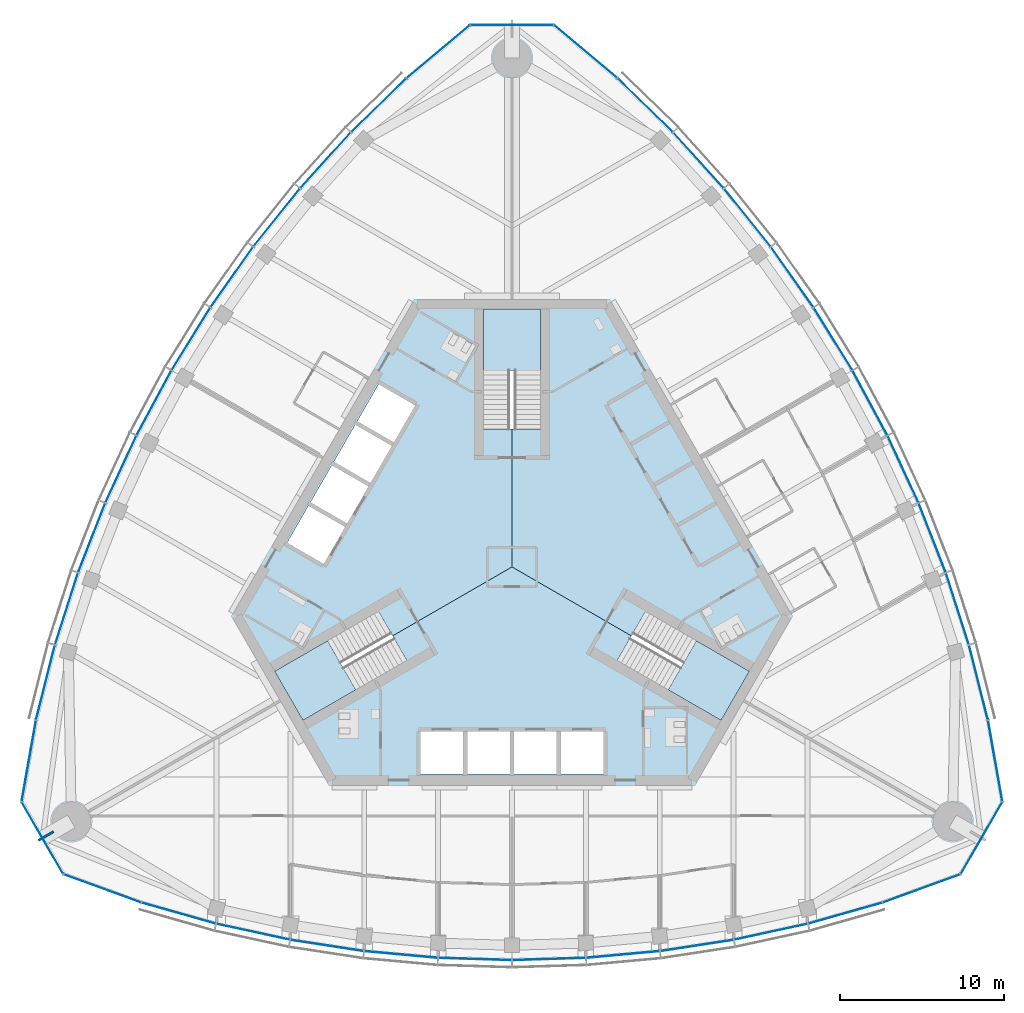
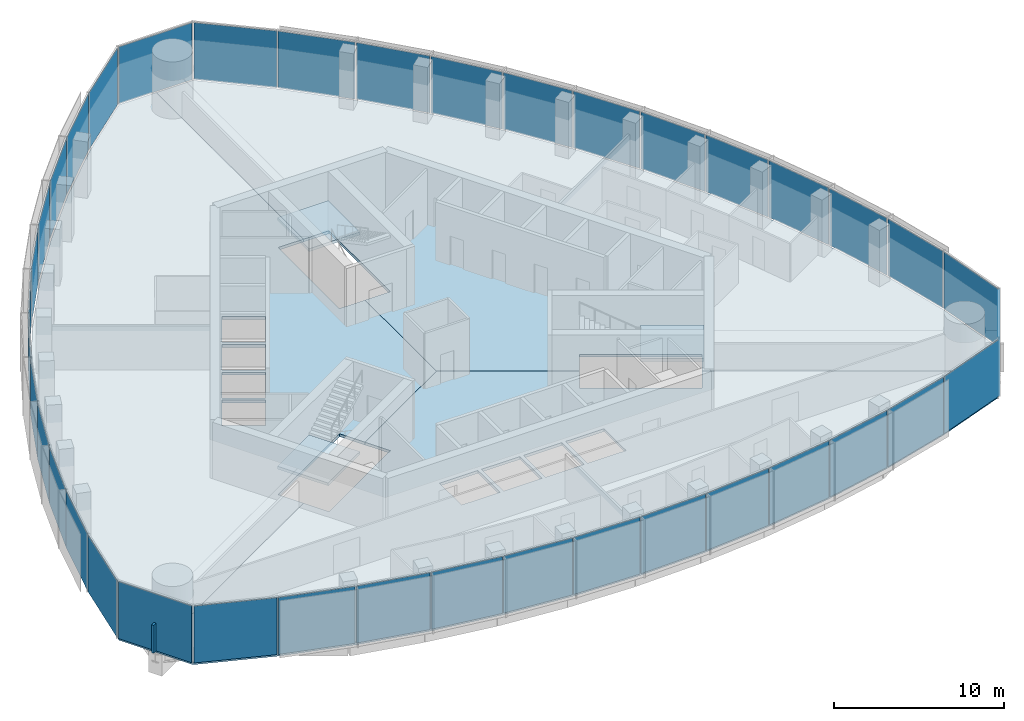
# One storey, part 7 of 16: 39 plates, 6 slabs, 1 wall, 9 elements without a shape of their own.
"""IFC4 building model written with IfcOpenShell, lengths in metres."""

from ifc_helpers import new_model, si_unit, direction, frame, frame_2d, origin, origin_2d, place, context, subcontext, project, spatial, polyline, rectangle, outline, extrude, material, layer, layer_set, type_object, element, aggregate, save


model = new_model("IFC4")

# Units and contexts
model_context = context("Model", 3, precision=1e-05, world=origin(), true_north=direction((0.0, 1.0)))
body_context = subcontext(model_context, "Body", "Model", "MODEL_VIEW")
ifc_project = project(units=[si_unit("LENGTHUNIT", "METRE"), si_unit("AREAUNIT", "SQUARE_METRE"), si_unit("VOLUMEUNIT", "CUBIC_METRE"), si_unit("PLANEANGLEUNIT", "RADIAN"), si_unit("MASSUNIT", "GRAM", prefix="KILO")], contexts=[model_context])

# Site, building, storey
site_placement = place(None, origin())
site = spatial("IfcSite", under=ifc_project, at=site_placement, CompositionType="ELEMENT")
building_placement = place(site_placement, origin())
building = spatial("IfcBuilding", under=site, at=building_placement, Name="Trefoil Bronze Tower", CompositionType="ELEMENT")
storey_placement = place(building_placement, frame((0.0, 0.0, 318.300048828125)))
storey = spatial("IfcBuildingStorey", under=building, at=storey_placement, Name="L73", CompositionType="ELEMENT", Elevation=318.300048828125)

# Curtain wall, plates
ifc_material_1 = material(Name="Tinted solar-control glass", Category="glass")
curtain_wall_type_1 = type_object("IfcCurtainWallType", Name="Bronze office curtain wall", PredefinedType="USERDEFINED", material=ifc_material_1)
curtain_wall_1_placement = place(storey_placement, origin())
curtain_wall_1 = element("IfcCurtainWall", 1, at=curtain_wall_1_placement, inside=storey, type_object=curtain_wall_type_1, Name="CW-A L73 F1", ObjectType="CURTAIN WALL", PredefinedType="USERDEFINED")
ifc_material_2 = material(Name="Tinted solar-control glass", Category="glass")
ifc_layer_1 = layer(ifc_material_2, 0.030029296875)
ifc_layer_set_1 = layer_set([ifc_layer_1], Name="Bronze office curtain wall glass panel")
plate_type_1 = type_object("IfcPlateType", Name="Bronze office curtain wall glass panel", PredefinedType="CURTAIN_PANEL", material=ifc_layer_set_1)
plate_1_placement = place(storey_placement, frame((-20.301513671875, -21.092529296875, 0.0), z_axis=(0.0, 0.0, 1.0), x_axis=(0.962097746943, -0.272704831875, 0.0)))
plate_1 = element("IfcPlate", 2, at=plate_1_placement, type_object=plate_type_1, Name="CW-A L73 F1 panel 1", PredefinedType="CURTAIN_PANEL", context=body_context, shape_type="SweptSolid", body=[
    extrude(rectangle(XDim=4.6474609375, YDim=0.030029296875, at=origin_2d()), origin(), (0.0, 0.0, 1.0), 4.080078125),
])
plate_2_placement = place(storey_placement, frame((-15.771240234375, -22.226318359375, 0.0), z_axis=(0.0, 0.0, 1.0), x_axis=(0.977303138829, -0.211845639168, 0.0)))
plate_2 = element("IfcPlate", 3, at=plate_2_placement, type_object=plate_type_1, Name="CW-A L73 F1 panel 2", PredefinedType="CURTAIN_PANEL", context=body_context, shape_type="SweptSolid", body=[
    extrude(rectangle(XDim=4.5244140625, YDim=0.030029296875, at=origin_2d()), origin(), (0.0, 0.0, 1.0), 4.080078125),
])
plate_3_placement = place(storey_placement, frame((-11.26513671875, -23.0595703125, 0.0), z_axis=(0.0, 0.0, 1.0), x_axis=(0.988485337216, -0.151316681529, 0.0)))
plate_3 = element("IfcPlate", 4, at=plate_3_placement, type_object=plate_type_1, Name="CW-A L73 F1 panel 3", PredefinedType="CURTAIN_PANEL", context=body_context, shape_type="SweptSolid", body=[
    extrude(rectangle(XDim=4.472412109375, YDim=0.030029296875, at=origin_2d()), origin(), (0.0, 0.0, 1.0), 4.080078125),
])
plate_4_placement = place(storey_placement, frame((-6.759033203125, -23.60986328125, 0.0), z_axis=(0.0, 0.0, 1.0), x_axis=(0.99587011625, -0.090789380212, 0.0)))
plate_4 = element("IfcPlate", 5, at=plate_4_placement, type_object=plate_type_1, Name="CW-A L73 F1 panel 4", PredefinedType="CURTAIN_PANEL", context=body_context, shape_type="SweptSolid", body=[
    extrude(rectangle(XDim=4.438720703125, YDim=0.030029296875, at=origin_2d()), origin(), (0.0, 0.0, 1.0), 4.080078125),
])
plate_5_placement = place(storey_placement, frame((-2.2529296875, -23.883544921875, 0.0), z_axis=(0.0, 0.0, 1.0), x_axis=(0.999541969785, -0.030263024264, 0.0)))
plate_5 = element("IfcPlate", 6, at=plate_5_placement, type_object=plate_type_1, Name="CW-A L73 F1 panel 5", PredefinedType="CURTAIN_PANEL", context=body_context, shape_type="SweptSolid", body=[
    extrude(rectangle(XDim=4.422119140625, YDim=0.030029296875, at=origin_2d()), origin(), (0.0, 0.0, 1.0), 4.080078125),
])
plate_6_placement = place(storey_placement, frame((2.2529296875, -23.883544921875, 0.0), z_axis=(0.0, 0.0, 1.0), x_axis=(0.999541969785, 0.030263024264, 0.0)))
plate_6 = element("IfcPlate", 7, at=plate_6_placement, type_object=plate_type_1, Name="CW-A L73 F1 panel 6", PredefinedType="CURTAIN_PANEL", context=body_context, shape_type="SweptSolid", body=[
    extrude(rectangle(XDim=4.422119140625, YDim=0.030029296875, at=origin_2d()), origin(), (0.0, 0.0, 1.0), 4.080078125),
])
plate_7_placement = place(storey_placement, frame((6.759033203125, -23.60986328125, 0.0), z_axis=(0.0, 0.0, 1.0), x_axis=(0.99587011625, 0.090789380212, 0.0)))
plate_7 = element("IfcPlate", 8, at=plate_7_placement, type_object=plate_type_1, Name="CW-A L73 F1 panel 7", PredefinedType="CURTAIN_PANEL", context=body_context, shape_type="SweptSolid", body=[
    extrude(rectangle(XDim=4.438720703125, YDim=0.030029296875, at=origin_2d()), origin(), (0.0, 0.0, 1.0), 4.080078125),
])
plate_8_placement = place(storey_placement, frame((11.26513671875, -23.0595703125, 0.0), z_axis=(0.0, 0.0, 1.0), x_axis=(0.988485337216, 0.151316681529, 0.0)))
plate_8 = element("IfcPlate", 9, at=plate_8_placement, type_object=plate_type_1, Name="CW-A L73 F1 panel 8", PredefinedType="CURTAIN_PANEL", context=body_context, shape_type="SweptSolid", body=[
    extrude(rectangle(XDim=4.472412109375, YDim=0.030029296875, at=origin_2d()), origin(), (0.0, 0.0, 1.0), 4.080078125),
])
plate_9_placement = place(storey_placement, frame((15.771240234375, -22.226318359375, 0.0), z_axis=(0.0, 0.0, 1.0), x_axis=(0.977303138829, 0.211845639168, 0.0)))
plate_9 = element("IfcPlate", 10, at=plate_9_placement, type_object=plate_type_1, Name="CW-A L73 F1 panel 9", PredefinedType="CURTAIN_PANEL", context=body_context, shape_type="SweptSolid", body=[
    extrude(rectangle(XDim=4.5244140625, YDim=0.030029296875, at=origin_2d()), origin(), (0.0, 0.0, 1.0), 4.080078125),
])
plate_10_placement = place(storey_placement, frame((20.301513671875, -21.092529296875, 0.0), z_axis=(0.0, 0.0, 1.0), x_axis=(0.962097746943, 0.272704831875, 0.0)))
plate_10 = element("IfcPlate", 11, at=plate_10_placement, type_object=plate_type_1, Name="CW-A L73 F1 panel 10", PredefinedType="CURTAIN_PANEL", context=body_context, shape_type="SweptSolid", body=[
    extrude(rectangle(XDim=4.6474609375, YDim=0.030029296875, at=origin_2d()), origin(), (0.0, 0.0, 1.0), 4.080078125),
])
aggregate(curtain_wall_1, [plate_1, plate_2, plate_3, plate_4, plate_5, plate_6, plate_7, plate_8, plate_9, plate_10])

curtain_wall_2_placement = place(storey_placement, origin())
curtain_wall_2 = element("IfcCurtainWall", 12, at=curtain_wall_2_placement, inside=storey, type_object=curtain_wall_type_1, Name="CW-A L73 F2", ObjectType="CURTAIN WALL", PredefinedType="USERDEFINED")
plate_11_placement = place(storey_placement, frame((28.417236328125, -7.035400390625, 0.0), z_axis=(0.0, 0.0, 1.0), x_axis=(-0.244879561333, 0.969553505713, 0.0)))
plate_11 = element("IfcPlate", 13, at=plate_11_placement, type_object=plate_type_1, Name="CW-A L73 F2 panel 1", PredefinedType="CURTAIN_PANEL", context=body_context, shape_type="SweptSolid", body=[
    extrude(rectangle(XDim=4.6474609375, YDim=0.030029296875, at=origin_2d()), origin(), (0.0, 0.0, 1.0), 4.080078125),
])
plate_12_placement = place(storey_placement, frame((27.134033203125, -2.545166015625, 0.0), z_axis=(0.0, 0.0, 1.0), x_axis=(-0.305187864214, 0.952292165009, 0.0)))
plate_12 = element("IfcPlate", 14, at=plate_12_placement, type_object=plate_type_1, Name="CW-A L73 F2 panel 2", PredefinedType="CURTAIN_PANEL", context=body_context, shape_type="SweptSolid", body=[
    extrude(rectangle(XDim=4.5244140625, YDim=0.030029296875, at=origin_2d()), origin(), (0.0, 0.0, 1.0), 4.080078125),
])
plate_13_placement = place(storey_placement, frame((25.602783203125, 1.77392578125, 0.0), z_axis=(0.0, 0.0, 1.0), x_axis=(-0.363198578387, 0.931711754062, 0.0)))
plate_13 = element("IfcPlate", 15, at=plate_13_placement, type_object=plate_type_1, Name="CW-A L73 F2 panel 3", PredefinedType="CURTAIN_PANEL", context=body_context, shape_type="SweptSolid", body=[
    extrude(rectangle(XDim=4.472412109375, YDim=0.030029296875, at=origin_2d()), origin(), (0.0, 0.0, 1.0), 4.080078125),
])
plate_14_placement = place(storey_placement, frame((23.826171875, 5.951416015625, 0.0), z_axis=(0.0, 0.0, 1.0), x_axis=(-0.419309148468, 0.907843509649, 0.0)))
plate_14 = element("IfcPlate", 16, at=plate_14_placement, type_object=plate_type_1, Name="CW-A L73 F2 panel 4", PredefinedType="CURTAIN_PANEL", context=body_context, shape_type="SweptSolid", body=[
    extrude(rectangle(XDim=4.438720703125, YDim=0.030029296875, at=origin_2d()), origin(), (0.0, 0.0, 1.0), 4.080078125),
])
plate_15_placement = place(storey_placement, frame((21.81005859375, 9.990478515625, 0.0), z_axis=(0.0, 0.0, 1.0), x_axis=(-0.473562437085, 0.880760250115, 0.0)))
plate_15 = element("IfcPlate", 17, at=plate_15_placement, type_object=plate_type_1, Name="CW-A L73 F2 panel 5", PredefinedType="CURTAIN_PANEL", context=body_context, shape_type="SweptSolid", body=[
    extrude(rectangle(XDim=4.422119140625, YDim=0.030029296875, at=origin_2d()), origin(), (0.0, 0.0, 1.0), 4.080078125),
])
plate_16_placement = place(storey_placement, frame((19.55712890625, 13.892822265625, 0.0), z_axis=(0.0, 0.0, 1.0), x_axis=(-0.525979532701, 0.850497225851, 0.0)))
plate_16 = element("IfcPlate", 18, at=plate_16_placement, type_object=plate_type_1, Name="CW-A L73 F2 panel 6", PredefinedType="CURTAIN_PANEL", context=body_context, shape_type="SweptSolid", body=[
    extrude(rectangle(XDim=4.422119140625, YDim=0.030029296875, at=origin_2d()), origin(), (0.0, 0.0, 1.0), 4.080078125),
])
plate_17_placement = place(storey_placement, frame((17.067138671875, 17.658447265625, 0.0), z_axis=(0.0, 0.0, 1.0), x_axis=(-0.576560967783, 0.817054129437, 0.0)))
plate_17 = element("IfcPlate", 19, at=plate_17_placement, type_object=plate_type_1, Name="CW-A L73 F2 panel 7", PredefinedType="CURTAIN_PANEL", context=body_context, shape_type="SweptSolid", body=[
    extrude(rectangle(XDim=4.438720703125, YDim=0.030029296875, at=origin_2d()), origin(), (0.0, 0.0, 1.0), 4.080078125),
])
plate_18_placement = place(storey_placement, frame((14.337646484375, 21.28564453125, 0.0), z_axis=(0.0, 0.0, 1.0), x_axis=(-0.625286758829, 0.780395072533, 0.0)))
plate_18 = element("IfcPlate", 20, at=plate_18_placement, type_object=plate_type_1, Name="CW-A L73 F2 panel 8", PredefinedType="CURTAIN_PANEL", context=body_context, shape_type="SweptSolid", body=[
    extrude(rectangle(XDim=4.472412109375, YDim=0.030029296875, at=origin_2d()), origin(), (0.0, 0.0, 1.0), 4.080078125),
])
plate_19_placement = place(storey_placement, frame((11.36279296875, 24.771484375, 0.0), z_axis=(0.0, 0.0, 1.0), x_axis=(-0.672115274615, 0.74044652584, 0.0)))
plate_19 = element("IfcPlate", 21, at=plate_19_placement, type_object=plate_type_1, Name="CW-A L73 F2 panel 9", PredefinedType="CURTAIN_PANEL", context=body_context, shape_type="SweptSolid", body=[
    extrude(rectangle(XDim=4.5244140625, YDim=0.030029296875, at=origin_2d()), origin(), (0.0, 0.0, 1.0), 4.080078125),
])
plate_20_placement = place(storey_placement, frame((8.115966796875, 28.127685546875, 0.0), z_axis=(0.0, 0.0, 1.0), x_axis=(-0.71721818561, 0.696848673839, 0.0)))
plate_20 = element("IfcPlate", 22, at=plate_20_placement, type_object=plate_type_1, Name="CW-A L73 F2 panel 10", PredefinedType="CURTAIN_PANEL", context=body_context, shape_type="SweptSolid", body=[
    extrude(rectangle(XDim=4.6474609375, YDim=0.030029296875, at=origin_2d()), origin(), (0.0, 0.0, 1.0), 4.080078125),
])
aggregate(curtain_wall_2, [plate_11, plate_12, plate_13, plate_14, plate_15, plate_16, plate_17, plate_18, plate_19, plate_20])

curtain_wall_3_placement = place(storey_placement, origin())
curtain_wall_3 = element("IfcCurtainWall", 23, at=curtain_wall_3_placement, inside=storey, type_object=curtain_wall_type_1, Name="CW-A L73 F3", ObjectType="CURTAIN WALL", PredefinedType="USERDEFINED")
plate_21_placement = place(storey_placement, frame((-8.115966796875, 28.127685546875, 0.0), z_axis=(0.0, 0.0, 1.0), x_axis=(-0.71721818561, -0.696848673839, 0.0)))
plate_21 = element("IfcPlate", 24, at=plate_21_placement, type_object=plate_type_1, Name="CW-A L73 F3 panel 1", PredefinedType="CURTAIN_PANEL", context=body_context, shape_type="SweptSolid", body=[
    extrude(rectangle(XDim=4.6474609375, YDim=0.030029296875, at=origin_2d()), origin(), (0.0, 0.0, 1.0), 4.080078125),
])
plate_22_placement = place(storey_placement, frame((-11.36279296875, 24.771484375, 0.0), z_axis=(0.0, 0.0, 1.0), x_axis=(-0.672115274615, -0.74044652584, 0.0)))
plate_22 = element("IfcPlate", 25, at=plate_22_placement, type_object=plate_type_1, Name="CW-A L73 F3 panel 2", PredefinedType="CURTAIN_PANEL", context=body_context, shape_type="SweptSolid", body=[
    extrude(rectangle(XDim=4.5244140625, YDim=0.030029296875, at=origin_2d()), origin(), (0.0, 0.0, 1.0), 4.080078125),
])
plate_23_placement = place(storey_placement, frame((-14.337646484375, 21.28564453125, 0.0), z_axis=(0.0, 0.0, 1.0), x_axis=(-0.625286758829, -0.780395072533, 0.0)))
plate_23 = element("IfcPlate", 26, at=plate_23_placement, type_object=plate_type_1, Name="CW-A L73 F3 panel 3", PredefinedType="CURTAIN_PANEL", context=body_context, shape_type="SweptSolid", body=[
    extrude(rectangle(XDim=4.472412109375, YDim=0.030029296875, at=origin_2d()), origin(), (0.0, 0.0, 1.0), 4.080078125),
])
plate_24_placement = place(storey_placement, frame((-17.067138671875, 17.658447265625, 0.0), z_axis=(0.0, 0.0, 1.0), x_axis=(-0.576560967783, -0.817054129437, 0.0)))
plate_24 = element("IfcPlate", 27, at=plate_24_placement, type_object=plate_type_1, Name="CW-A L73 F3 panel 4", PredefinedType="CURTAIN_PANEL", context=body_context, shape_type="SweptSolid", body=[
    extrude(rectangle(XDim=4.438720703125, YDim=0.030029296875, at=origin_2d()), origin(), (0.0, 0.0, 1.0), 4.080078125),
])
plate_25_placement = place(storey_placement, frame((-19.55712890625, 13.892822265625, 0.0), z_axis=(0.0, 0.0, 1.0), x_axis=(-0.525979532701, -0.850497225851, 0.0)))
plate_25 = element("IfcPlate", 28, at=plate_25_placement, type_object=plate_type_1, Name="CW-A L73 F3 panel 5", PredefinedType="CURTAIN_PANEL", context=body_context, shape_type="SweptSolid", body=[
    extrude(rectangle(XDim=4.422119140625, YDim=0.030029296875, at=origin_2d()), origin(), (0.0, 0.0, 1.0), 4.080078125),
])
plate_26_placement = place(storey_placement, frame((-21.81005859375, 9.990478515625, 0.0), z_axis=(0.0, 0.0, 1.0), x_axis=(-0.473562437085, -0.880760250115, 0.0)))
plate_26 = element("IfcPlate", 29, at=plate_26_placement, type_object=plate_type_1, Name="CW-A L73 F3 panel 6", PredefinedType="CURTAIN_PANEL", context=body_context, shape_type="SweptSolid", body=[
    extrude(rectangle(XDim=4.422119140625, YDim=0.030029296875, at=origin_2d()), origin(), (0.0, 0.0, 1.0), 4.080078125),
])
plate_27_placement = place(storey_placement, frame((-23.826171875, 5.951416015625, 0.0), z_axis=(0.0, 0.0, 1.0), x_axis=(-0.419309148468, -0.907843509649, 0.0)))
plate_27 = element("IfcPlate", 30, at=plate_27_placement, type_object=plate_type_1, Name="CW-A L73 F3 panel 7", PredefinedType="CURTAIN_PANEL", context=body_context, shape_type="SweptSolid", body=[
    extrude(rectangle(XDim=4.438720703125, YDim=0.030029296875, at=origin_2d()), origin(), (0.0, 0.0, 1.0), 4.080078125),
])
plate_28_placement = place(storey_placement, frame((-25.602783203125, 1.77392578125, 0.0), z_axis=(0.0, 0.0, 1.0), x_axis=(-0.363198578387, -0.931711754062, 0.0)))
plate_28 = element("IfcPlate", 31, at=plate_28_placement, type_object=plate_type_1, Name="CW-A L73 F3 panel 8", PredefinedType="CURTAIN_PANEL", context=body_context, shape_type="SweptSolid", body=[
    extrude(rectangle(XDim=4.472412109375, YDim=0.030029296875, at=origin_2d()), origin(), (0.0, 0.0, 1.0), 4.080078125),
])
plate_29_placement = place(storey_placement, frame((-27.134033203125, -2.545166015625, 0.0), z_axis=(0.0, 0.0, 1.0), x_axis=(-0.305187864214, -0.952292165009, 0.0)))
plate_29 = element("IfcPlate", 32, at=plate_29_placement, type_object=plate_type_1, Name="CW-A L73 F3 panel 9", PredefinedType="CURTAIN_PANEL", context=body_context, shape_type="SweptSolid", body=[
    extrude(rectangle(XDim=4.5244140625, YDim=0.030029296875, at=origin_2d()), origin(), (0.0, 0.0, 1.0), 4.080078125),
])
plate_30_placement = place(storey_placement, frame((-28.417236328125, -7.035400390625, 0.0), z_axis=(0.0, 0.0, 1.0), x_axis=(-0.244879561333, -0.969553505713, 0.0)))
plate_30 = element("IfcPlate", 33, at=plate_30_placement, type_object=plate_type_1, Name="CW-A L73 F3 panel 10", PredefinedType="CURTAIN_PANEL", context=body_context, shape_type="SweptSolid", body=[
    extrude(rectangle(XDim=4.6474609375, YDim=0.030029296875, at=origin_2d()), origin(), (0.0, 0.0, 1.0), 4.080078125),
])
aggregate(curtain_wall_3, [plate_21, plate_22, plate_23, plate_24, plate_25, plate_26, plate_27, plate_28, plate_29, plate_30])

ifc_material_3 = material(Name="Tinted solar-control glass", Category="glass")
curtain_wall_type_2 = type_object("IfcCurtainWallType", Name="Bronze rounded corner curtain wall", PredefinedType="USERDEFINED", material=ifc_material_3)
curtain_wall_4_placement = place(storey_placement, origin())
curtain_wall_4 = element("IfcCurtainWall", 34, at=curtain_wall_4_placement, inside=storey, type_object=curtain_wall_type_2, Name="CW-B L73 K1", ObjectType="CURTAIN WALL", PredefinedType="USERDEFINED")
ifc_material_4 = material(Name="Tinted solar-control glass", Category="glass")
ifc_layer_2 = layer(ifc_material_4, 0.030029296875)
ifc_layer_set_2 = layer_set([ifc_layer_2], Name="Bronze rounded corner curtain wall glass panel")
plate_type_2 = type_object("IfcPlateType", Name="Bronze rounded corner curtain wall glass panel", PredefinedType="CURTAIN_PANEL", material=ifc_layer_set_2)
plate_31_placement = place(storey_placement, frame((24.939453125, -19.587646484375, 0.0), z_axis=(0.0, 0.0, 1.0), x_axis=(0.939692620786, 0.342020143326, 0.0)))
plate_31 = element("IfcPlate", 35, at=plate_31_placement, type_object=plate_type_2, Name="CW-B L73 K1 panel 1", PredefinedType="CURTAIN_PANEL", context=body_context, shape_type="SweptSolid", body=[
    extrude(rectangle(XDim=4.956298828125, YDim=0.030029296875, at=origin_2d()), origin(), (0.0, 0.0, 1.0), 4.080078125),
])
plate_32_placement = place(storey_placement, frame((28.602783203125, -16.513916015625, 0.0), z_axis=(0.0, 0.0, 1.0), x_axis=(0.5, 0.866025403784, 0.0)))
plate_32 = element("IfcPlate", 36, at=plate_32_placement, type_object=plate_type_2, Name="CW-B L73 K1 panel 2", PredefinedType="CURTAIN_PANEL", context=body_context, shape_type="SweptSolid", body=[
    extrude(rectangle(XDim=4.956298828125, YDim=0.030029296875, at=origin_2d()), origin(), (0.0, 0.0, 1.0), 4.080078125),
])
plate_33_placement = place(storey_placement, frame((29.43310546875, -11.80419921875, 0.0), z_axis=(0.0, 0.0, 1.0), x_axis=(-0.173648177667, 0.984807753012, 0.0)))
plate_33 = element("IfcPlate", 37, at=plate_33_placement, type_object=plate_type_2, Name="CW-B L73 K1 panel 3", PredefinedType="CURTAIN_PANEL", context=body_context, shape_type="SweptSolid", body=[
    extrude(rectangle(XDim=4.956298828125, YDim=0.030029296875, at=origin_2d()), origin(), (0.0, 0.0, 1.0), 4.080078125),
])
aggregate(curtain_wall_4, [plate_31, plate_32, plate_33])

curtain_wall_5_placement = place(storey_placement, origin())
curtain_wall_5 = element("IfcCurtainWall", 38, at=curtain_wall_5_placement, inside=storey, type_object=curtain_wall_type_2, Name="CW-B L73 K2", ObjectType="CURTAIN WALL", PredefinedType="USERDEFINED")
plate_34_placement = place(storey_placement, frame((4.493896484375, 31.39208984375, 0.0), z_axis=(0.0, 0.0, 1.0), x_axis=(-0.766044443119, 0.642787609687, 0.0)))
plate_34 = element("IfcPlate", 39, at=plate_34_placement, type_object=plate_type_2, Name="CW-B L73 K2 panel 1", PredefinedType="CURTAIN_PANEL", context=body_context, shape_type="SweptSolid", body=[
    extrude(rectangle(XDim=4.956298828125, YDim=0.030029296875, at=origin_2d()), origin(), (0.0, 0.0, 1.0), 4.080078125),
])
plate_35_placement = place(storey_placement, frame((0.0, 33.027587890625, 0.0), z_axis=(0.0, 0.0, 1.0), x_axis=(-1.0, 0.0, 0.0)))
plate_35 = element("IfcPlate", 40, at=plate_35_placement, type_object=plate_type_2, Name="CW-B L73 K2 panel 2", PredefinedType="CURTAIN_PANEL", context=body_context, shape_type="SweptSolid", body=[
    extrude(rectangle(XDim=4.956298828125, YDim=0.030029296875, at=origin_2d()), origin(), (0.0, 0.0, 1.0), 4.080078125),
])
plate_36_placement = place(storey_placement, frame((-4.493896484375, 31.39208984375, 0.0), z_axis=(0.0, 0.0, 1.0), x_axis=(-0.766044443119, -0.642787609687, 0.0)))
plate_36 = element("IfcPlate", 41, at=plate_36_placement, type_object=plate_type_2, Name="CW-B L73 K2 panel 3", PredefinedType="CURTAIN_PANEL", context=body_context, shape_type="SweptSolid", body=[
    extrude(rectangle(XDim=4.956298828125, YDim=0.030029296875, at=origin_2d()), origin(), (0.0, 0.0, 1.0), 4.080078125),
])
aggregate(curtain_wall_5, [plate_34, plate_35, plate_36])

curtain_wall_6_placement = place(storey_placement, origin())
curtain_wall_6 = element("IfcCurtainWall", 42, at=curtain_wall_6_placement, inside=storey, type_object=curtain_wall_type_2, Name="CW-B L73 K3", ObjectType="CURTAIN WALL", PredefinedType="USERDEFINED")
plate_37_placement = place(storey_placement, frame((-29.43310546875, -11.80419921875, 0.0), z_axis=(0.0, 0.0, 1.0), x_axis=(-0.173648177667, -0.984807753012, 0.0)))
plate_37 = element("IfcPlate", 43, at=plate_37_placement, type_object=plate_type_2, Name="CW-B L73 K3 panel 1", PredefinedType="CURTAIN_PANEL", context=body_context, shape_type="SweptSolid", body=[
    extrude(rectangle(XDim=4.956298828125, YDim=0.030029296875, at=origin_2d()), origin(), (0.0, 0.0, 1.0), 4.080078125),
])
plate_38_placement = place(storey_placement, frame((-28.602783203125, -16.513916015625, 0.0), z_axis=(0.0, 0.0, 1.0), x_axis=(0.5, -0.866025403784, 0.0)))
plate_38 = element("IfcPlate", 44, at=plate_38_placement, type_object=plate_type_2, Name="CW-B L73 K3 panel 2", PredefinedType="CURTAIN_PANEL", context=body_context, shape_type="SweptSolid", body=[
    extrude(rectangle(XDim=4.956298828125, YDim=0.030029296875, at=origin_2d()), origin(), (0.0, 0.0, 1.0), 4.080078125),
])
plate_39_placement = place(storey_placement, frame((-24.939453125, -19.587646484375, 0.0), z_axis=(0.0, 0.0, 1.0), x_axis=(0.939692620786, -0.342020143326, 0.0)))
plate_39 = element("IfcPlate", 45, at=plate_39_placement, type_object=plate_type_2, Name="CW-B L73 K3 panel 3", PredefinedType="CURTAIN_PANEL", context=body_context, shape_type="SweptSolid", body=[
    extrude(rectangle(XDim=4.956298828125, YDim=0.030029296875, at=origin_2d()), origin(), (0.0, 0.0, 1.0), 4.080078125),
])
aggregate(curtain_wall_6, [plate_37, plate_38, plate_39])

# Slabs
ifc_material_5 = material(Name="Concrete B30", Category="concrete")
ifc_layer_3 = layer(ifc_material_5, 0.199951171875)
ifc_layer_set_3 = layer_set([ifc_layer_3], Name="Floor slab 200")
slab_type_1 = type_object("IfcSlabType", Name="Floor slab 200", PredefinedType="FLOOR", material=ifc_layer_set_3)
slab_1_placement = place(storey_placement, frame((0.0, 0.0, -0.199951171875)))
element("IfcSlab", 46, at=slab_1_placement, inside=storey, type_object=slab_type_1, Name="Floor slab L73 face 1", PredefinedType="FLOOR", context=body_context, shape_type="SweptSolid", body=[
    extrude(outline(polyline([(13.5, -22.6162109375), (9.0, -23.30517578125), (4.5, -23.71533203125), (0.0, -23.8515625), (-4.5, -23.71533203125), (-9.0, -23.30517578125), (-13.5, -22.6162109375), (-18.0, -21.640869140625), (-22.54833984375, -20.3515625), (-27.261962890625, -18.635986328125), (-28.51611328125, -16.4638671875), (-13.510009765625, -7.800048828125), (-12.6474609375, -9.2939453125), (-6.412109375, -5.69384765625), (-7.274658203125, -4.199951171875), (0.0, 0.0), (7.274658203125, -4.199951171875), (6.412109375, -5.69384765625), (12.6474609375, -9.2939453125), (13.510009765625, -7.800048828125), (28.51611328125, -16.4638671875), (27.261962890625, -18.635986328125), (22.54833984375, -20.3515625), (18.0, -21.640869140625), (13.5, -22.6162109375)]), holes=[polyline([(-5.574951171875, -10.02490234375), (-2.97509765625, -10.02490234375), (-2.97509765625, -12.60009765625), (-5.574951171875, -12.60009765625), (-5.574951171875, -10.02490234375)]), polyline([(-2.72509765625, -10.02490234375), (-0.125, -10.02490234375), (-0.125, -12.60009765625), (-2.72509765625, -12.60009765625), (-2.72509765625, -10.02490234375)]), polyline([(0.125, -10.02490234375), (2.72509765625, -10.02490234375), (2.72509765625, -12.60009765625), (0.125, -12.60009765625), (0.125, -10.02490234375)]), polyline([(2.97509765625, -10.02490234375), (5.574951171875, -10.02490234375), (5.574951171875, -12.60009765625), (2.97509765625, -12.60009765625), (2.97509765625, -10.02490234375)])]), origin(), (0.0, 0.0, 1.0), 0.199951171875),
])
slab_2_placement = place(storey_placement, frame((0.0, 0.0, -0.199951171875)))
element("IfcSlab", 47, at=slab_2_placement, inside=storey, type_object=slab_type_1, Name="Floor slab L73 face 2", PredefinedType="FLOOR", context=body_context, shape_type="SweptSolid", body=[
    extrude(outline(polyline([(12.836181640625, 22.99951171875), (15.682861328125, 19.44677734375), (18.2880859375, 15.7548828125), (20.656005859375, 11.92578125), (22.7880859375, 7.96044921875), (24.682861328125, 3.8583984375), (26.336181640625, -0.38330078125), (27.741455078125, -4.76806640625), (28.899169921875, -9.3515625), (29.770263671875, -14.291748046875), (28.51611328125, -16.4638671875), (13.510009765625, -7.800048828125), (14.37255859375, -6.30615234375), (8.13720703125, -2.7060546875), (7.274658203125, -4.199951171875), (0.0, 0.0), (0.0, 8.39990234375), (1.72509765625, 8.39990234375), (1.72509765625, 15.60009765625), (0.0, 15.60009765625), (0.0, 32.927490234375), (2.508056640625, 32.927490234375), (6.350830078125, 29.703125), (9.741455078125, 26.408935546875), (12.836181640625, 22.99951171875)])), origin(), (0.0, 0.0, 1.0), 0.199951171875),
])
slab_3_placement = place(storey_placement, frame((0.0, 0.0, -0.199951171875)))
element("IfcSlab", 48, at=slab_3_placement, inside=storey, type_object=slab_type_1, Name="Floor slab L73 face 3", PredefinedType="FLOOR", context=body_context, shape_type="SweptSolid", body=[
    extrude(outline(polyline([(-26.336181640625, -0.38330078125), (-24.682861328125, 3.8583984375), (-22.7880859375, 7.96044921875), (-20.656005859375, 11.92578125), (-18.2880859375, 15.7548828125), (-15.682861328125, 19.44677734375), (-12.836181640625, 22.99951171875), (-9.741455078125, 26.408935546875), (-6.350830078125, 29.703125), (-2.508056640625, 32.927490234375), (0.0, 32.927490234375), (0.0, 15.60009765625), (-1.72509765625, 15.60009765625), (-1.72509765625, 8.39990234375), (0.0, 8.39990234375), (0.0, 0.0), (-7.274658203125, -4.199951171875), (-8.13720703125, -2.7060546875), (-14.37255859375, -6.30615234375), (-13.510009765625, -7.800048828125), (-28.51611328125, -16.4638671875), (-29.770263671875, -14.291748046875), (-28.899169921875, -9.3515625), (-27.741455078125, -4.76806640625), (-26.336181640625, -0.38330078125)]), holes=[polyline([(-5.894287109375, 9.840576171875), (-7.1943359375, 7.5888671875), (-9.42431640625, 8.87646484375), (-8.12451171875, 11.128173828125), (-5.894287109375, 9.840576171875)]), polyline([(-7.3193359375, 7.372314453125), (-8.619384765625, 5.120849609375), (-10.849365234375, 6.408203125), (-9.54931640625, 8.659912109375), (-7.3193359375, 7.372314453125)]), polyline([(-8.744384765625, 4.904296875), (-10.04443359375, 2.652587890625), (-12.2744140625, 3.940185546875), (-10.974365234375, 6.191650390625), (-8.744384765625, 4.904296875)]), polyline([(-10.16943359375, 2.43603515625), (-11.469482421875, 0.184326171875), (-13.699462890625, 1.471923828125), (-12.3994140625, 3.7236328125), (-10.16943359375, 2.43603515625)])]), origin(), (0.0, 0.0, 1.0), 0.199951171875),
])

# Stair, slab
ifc_material_6 = material(Name="Precast concrete B80", Category="concrete")
stair_type = type_object("IfcStairType", Name="Exit stair 26 risers", PredefinedType="HALF_TURN_STAIR", material=ifc_material_6)
stair_1_placement = place(storey_placement, origin())
stair_1 = element("IfcStair", 49, at=stair_1_placement, inside=storey, type_object=stair_type, Name="Stair ST1 L73", PredefinedType="HALF_TURN_STAIR")
ifc_material_7 = material(Name="Concrete B30", Category="concrete")
ifc_layer_4 = layer(ifc_material_7, 0.199951171875)
ifc_layer_set_4 = layer_set([ifc_layer_4], Name="Stair landing 200")
slab_type_2 = type_object("IfcSlabType", Name="Stair landing 200", PredefinedType="LANDING", material=ifc_layer_set_4)
slab_4_placement = place(storey_placement, frame((0.0, 0.0, 1.89990234375)))
slab_4 = element("IfcSlab", 50, at=slab_4_placement, type_object=slab_type_2, Name="ST1 landing 1", PredefinedType="LANDING", context=body_context, shape_type="SweptSolid", body=[
    extrude(outline(polyline([(9.512451171875, -7.48388671875), (12.734130859375, -9.343994140625), (14.458984375, -6.356201171875), (11.237548828125, -4.49609375), (9.512451171875, -7.48388671875)])), origin(), (0.0, 0.0, 1.0), 0.199951171875),
])
aggregate(stair_1, [slab_4])

stair_2_placement = place(storey_placement, origin())
stair_2 = element("IfcStair", 51, at=stair_2_placement, inside=storey, type_object=stair_type, Name="Stair ST2 L73", PredefinedType="HALF_TURN_STAIR")
slab_5_placement = place(storey_placement, frame((0.0, 0.0, 1.89990234375)))
slab_5 = element("IfcSlab", 52, at=slab_5_placement, type_object=slab_type_2, Name="ST2 landing 1", PredefinedType="LANDING", context=body_context, shape_type="SweptSolid", body=[
    extrude(outline(polyline([(1.72509765625, 11.97998046875), (1.72509765625, 15.699951171875), (-1.72509765625, 15.699951171875), (-1.72509765625, 11.97998046875), (1.72509765625, 11.97998046875)])), origin(), (0.0, 0.0, 1.0), 0.199951171875),
])
aggregate(stair_2, [slab_5])

stair_3_placement = place(storey_placement, origin())
stair_3 = element("IfcStair", 53, at=stair_3_placement, inside=storey, type_object=stair_type, Name="Stair ST3 L73", PredefinedType="HALF_TURN_STAIR")
slab_6_placement = place(storey_placement, frame((0.0, 0.0, 1.89990234375)))
slab_6 = element("IfcSlab", 54, at=slab_6_placement, type_object=slab_type_2, Name="ST3 landing 1", PredefinedType="LANDING", context=body_context, shape_type="SweptSolid", body=[
    extrude(outline(polyline([(-11.237548828125, -4.49609375), (-14.458984375, -6.356201171875), (-12.734130859375, -9.343994140625), (-9.512451171875, -7.48388671875), (-11.237548828125, -4.49609375)])), origin(), (0.0, 0.0, 1.0), 0.199951171875),
])
aggregate(stair_3, [slab_6])

# Wall
ifc_material_8 = material(Name="Gypsum board on steel studs", Category="steel")
ifc_layer_5 = layer(ifc_material_8, 0.14990234375)
ifc_layer_set_5 = layer_set([ifc_layer_5], Name="Party wall 150")
wall_type = type_object("IfcWallType", Name="Party wall 150", PredefinedType="PARTITIONING", material=ifc_layer_set_5)
wall_placement = place(storey_placement, frame((-27.92919921875, -16.125, 0.0), z_axis=(0.0, 0.0, 1.0), x_axis=(-0.866086810508, -0.499893625349, 0.0)))
element("IfcWall", 55, at=wall_placement, inside=storey, type_object=wall_type, Name="Party wall K3 L73", PredefinedType="PARTITIONING", context=body_context, shape_type="SweptSolid", body=[
    extrude(rectangle(XDim=1.070068359375, YDim=0.14990234375, at=frame_2d((0.53515625, 0.0))), origin(), (0.0, 0.0, 1.0), 2.0),
])

save(model, "model.ifc")
